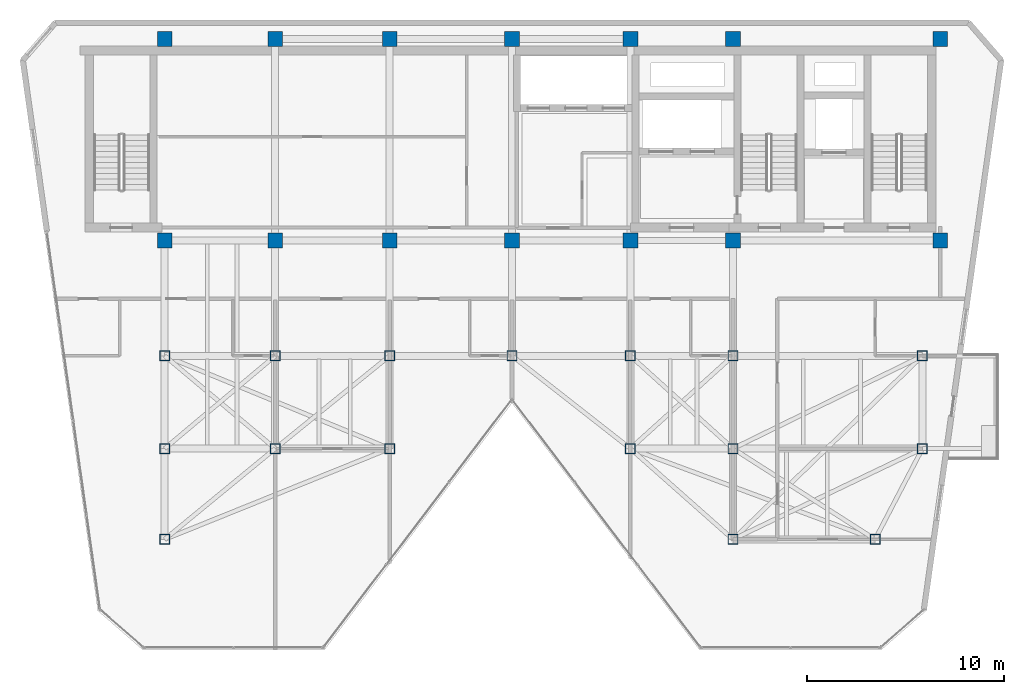
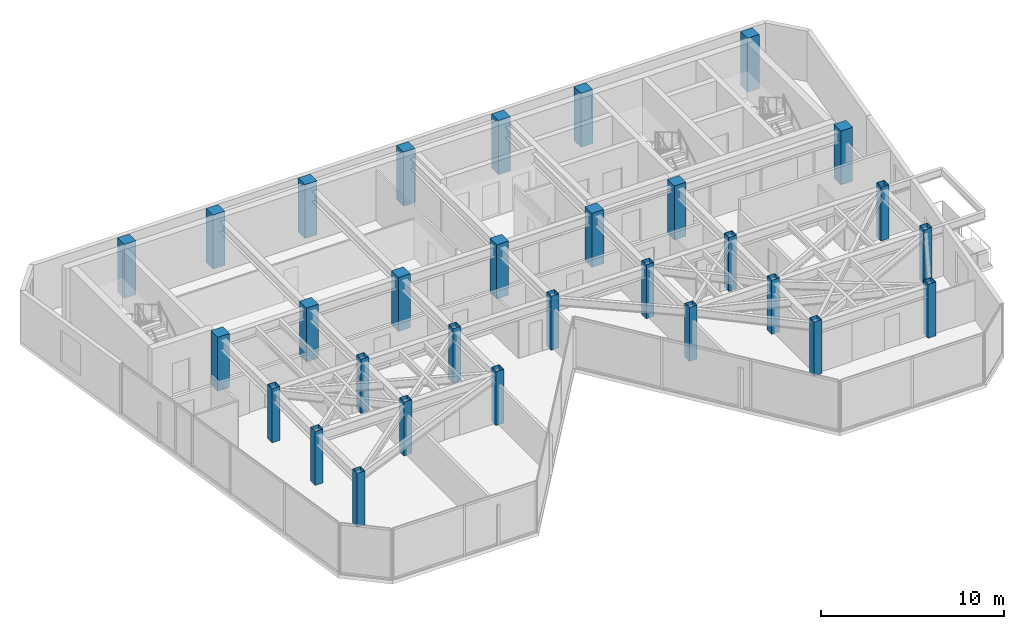
# One storey, part 1 of 20: 30 columns.
"""IFC4 building model written with IfcOpenShell, lengths in metres."""

from ifc_helpers import new_model, si_unit, direction, frame, origin, origin_2d, place, context, subcontext, project, spatial, rectangle, hollow_rectangle, extrude, material, material_profile, profile_set, type_object, element, save


model = new_model("IFC4")

# Units and contexts
model_context = context("Model", 3, precision=1e-05, world=origin(), true_north=direction((0.0, 1.0)))
body_context = subcontext(model_context, "Body", "Model", "MODEL_VIEW")
ifc_project = project(units=[si_unit("LENGTHUNIT", "METRE"), si_unit("AREAUNIT", "SQUARE_METRE"), si_unit("VOLUMEUNIT", "CUBIC_METRE"), si_unit("PLANEANGLEUNIT", "RADIAN"), si_unit("MASSUNIT", "GRAM", prefix="KILO")], contexts=[model_context])

# Site, building, storey
site_placement = place(None, origin())
site = spatial("IfcSite", under=ifc_project, at=site_placement, CompositionType="ELEMENT")
building_placement = place(site_placement, origin())
building = spatial("IfcBuilding", under=site, at=building_placement, Name="Kravanh Interchange Tower", CompositionType="ELEMENT")
storey_placement = place(building_placement, frame((0.0, 0.0, 234.60009765625)))
storey = spatial("IfcBuildingStorey", under=building, at=storey_placement, Name="L56", CompositionType="ELEMENT", Elevation=234.60009765625)

# Columns
ifc_material_1 = material(Name="Structural Steel S355", Category="steel")
ifc_material_profile_1 = material_profile(ifc_material_1, hollow_rectangle(XDim=0.5, YDim=0.5, WallThickness=0.02001953125, at=origin_2d()), Name="HSS500X500X20")
ifc_profile_set_1 = profile_set([ifc_material_profile_1], Name="Structural Steel S355")
column_type_1 = type_object("IfcColumnType", Name="Column HSS500X500X20 Structural Steel S355", PredefinedType="COLUMN", material=ifc_profile_set_1)
for number, where, z_axis, x_axis, name in (
    (1, (44.800048828125, 31.5, 0.0), (0.0, 0.0, 1.0), (1.0, 0.0, 0.0), "L56 Column CH_E1"),
    (2, (50.800048828125, 31.5, 0.0), (0.0, 0.0, 1.0), (1.0, 0.0, 0.0), "L56 Column CH_E2"),
    (3, (56.0, 31.5, 0.0), (0.0, 0.0, 1.0), (1.0, 0.0, 0.0), "L56 Column CH_E3"),
    (4, (65.60009765625, 31.5, 0.0), (0.0, 0.0, 1.0), (1.0, 0.0, 0.0), "L56 Column CH_E4"),
    (5, (38.60009765625, 31.5, 0.0), (0.0, 0.0, 1.0), (1.0, 0.0, 0.0), "L56 Column CH_E5"),
    (6, (32.800048828125, 31.5, 0.0), (0.0, 0.0, 1.0), (1.0, 0.0, 0.0), "L56 Column CH_E6"),
    (7, (27.199951171875, 31.5, 0.0), (0.0, 0.0, 1.0), (1.0, 0.0, 0.0), "L56 Column CH_E7"),
    (8, (38.60009765625, 26.800048828125, 0.0), (0.0, 0.0, 1.0), (1.0, 0.0, 0.0), "L56 Column CH_S1"),
    (9, (50.800048828125, 26.800048828125, 0.0), (0.0, 0.0, 1.0), (1.0, 0.0, 0.0), "L56 Column CH_S2"),
    (10, (56.0, 26.800048828125, 0.0), (0.0, 0.0, 1.0), (1.0, 0.0, 0.0), "L56 Column CH_S3"),
    (11, (65.60009765625, 26.800048828125, 0.0), (0.0, 0.0, 1.0), (1.0, 0.0, 0.0), "L56 Column CH_S4"),
    (12, (56.0, 22.199951171875, 0.0), (0.0, 0.0, 1.0), (1.0, 0.0, 0.0), "L56 Column CH_S5"),
    (13, (63.199951171875, 22.199951171875, 0.0), (0.0, 0.0, 1.0), (1.0, 0.0, 0.0), "L56 Column CH_S6"),
    (14, (27.199951171875, 22.199951171875, 0.0), (0.0, 0.0, 1.0), (1.0, 0.0, 0.0), "L56 Column CH_W1"),
    (15, (27.199951171875, 26.800048828125, 0.0), (0.0, 0.0, 1.0), (1.0, 0.0, 0.0), "L56 Column CH_W1B"),
    (16, (32.800048828125, 26.800048828125, 0.0), (0.0, 0.0, 1.0), (1.0, 0.0, 0.0), "L56 Column CH_W3"),
):
    element("IfcColumn", number, at=place(storey_placement, frame(where, z_axis=z_axis, x_axis=x_axis)), inside=storey, type_object=column_type_1, Name=name, PredefinedType="COLUMN", context=body_context, shape_type="SweptSolid", body=[
        extrude(hollow_rectangle(XDim=0.5, YDim=0.5, WallThickness=0.02001953125, at=origin_2d()), origin(), (0.0, 0.0, 1.0), 3.599853515625),
    ])
ifc_material_2 = material(Name="Concrete C60/75", Category="concrete")
ifc_material_profile_2 = material_profile(ifc_material_2, rectangle(XDim=0.75, YDim=0.75, at=origin_2d()), Name="RC750X750")
ifc_profile_set_2 = profile_set([ifc_material_profile_2], Name="Concrete C60/75")
column_type_2 = type_object("IfcColumnType", Name="Column RC750X750 Concrete C60/75", PredefinedType="COLUMN", material=ifc_profile_set_2)
for number, where, z_axis, x_axis, name in (
    (17, (66.5, 47.550048828125, 0.0), (0.0, 0.0, 1.0), (1.0, 0.0, 0.0), "L56 Column CS01"),
    (18, (56.0, 47.550048828125, 0.0), (0.0, 0.0, 1.0), (1.0, 0.0, 0.0), "L56 Column CS02"),
    (19, (66.5, 37.35009765625, 0.0), (0.0, 0.0, 1.0), (1.0, 0.0, 0.0), "L56 Column CS03"),
    (20, (56.0, 37.35009765625, 0.0), (0.0, 0.0, 1.0), (1.0, 0.0, 0.0), "L56 Column CS04"),
    (21, (50.800048828125, 47.550048828125, 0.0), (0.0, 0.0, 1.0), (1.0, 0.0, 0.0), "L56 Column CS05"),
    (22, (50.800048828125, 37.35009765625, 0.0), (0.0, 0.0, 1.0), (1.0, 0.0, 0.0), "L56 Column CS06"),
    (23, (44.800048828125, 37.35009765625, 0.0), (0.0, 0.0, 1.0), (1.0, 0.0, 0.0), "L56 Column CS07"),
    (24, (44.800048828125, 47.550048828125, 0.0), (0.0, 0.0, 1.0), (1.0, 0.0, 0.0), "L56 Column CS08"),
    (25, (38.60009765625, 37.35009765625, 0.0), (0.0, 0.0, 1.0), (1.0, 0.0, 0.0), "L56 Column CS09"),
    (26, (38.60009765625, 47.550048828125, 0.0), (0.0, 0.0, 1.0), (1.0, 0.0, 0.0), "L56 Column CS10"),
    (27, (32.800048828125, 37.35009765625, 0.0), (0.0, 0.0, 1.0), (1.0, 0.0, 0.0), "L56 Column CS11"),
    (28, (32.800048828125, 47.550048828125, 0.0), (0.0, 0.0, 1.0), (1.0, 0.0, 0.0), "L56 Column CS12"),
    (29, (27.199951171875, 37.35009765625, 0.0), (0.0, 0.0, 1.0), (1.0, 0.0, 0.0), "L56 Column CS13"),
    (30, (27.199951171875, 47.550048828125, 0.0), (0.0, 0.0, 1.0), (1.0, 0.0, 0.0), "L56 Column CS14"),
):
    element("IfcColumn", number, at=place(storey_placement, frame(where, z_axis=z_axis, x_axis=x_axis)), inside=storey, type_object=column_type_2, Name=name, PredefinedType="COLUMN", context=body_context, shape_type="SweptSolid", body=[
        extrude(rectangle(XDim=0.75, YDim=0.75, at=origin_2d()), origin(), (0.0, 0.0, 1.0), 3.599853515625),
    ])

save(model, "model.ifc")
